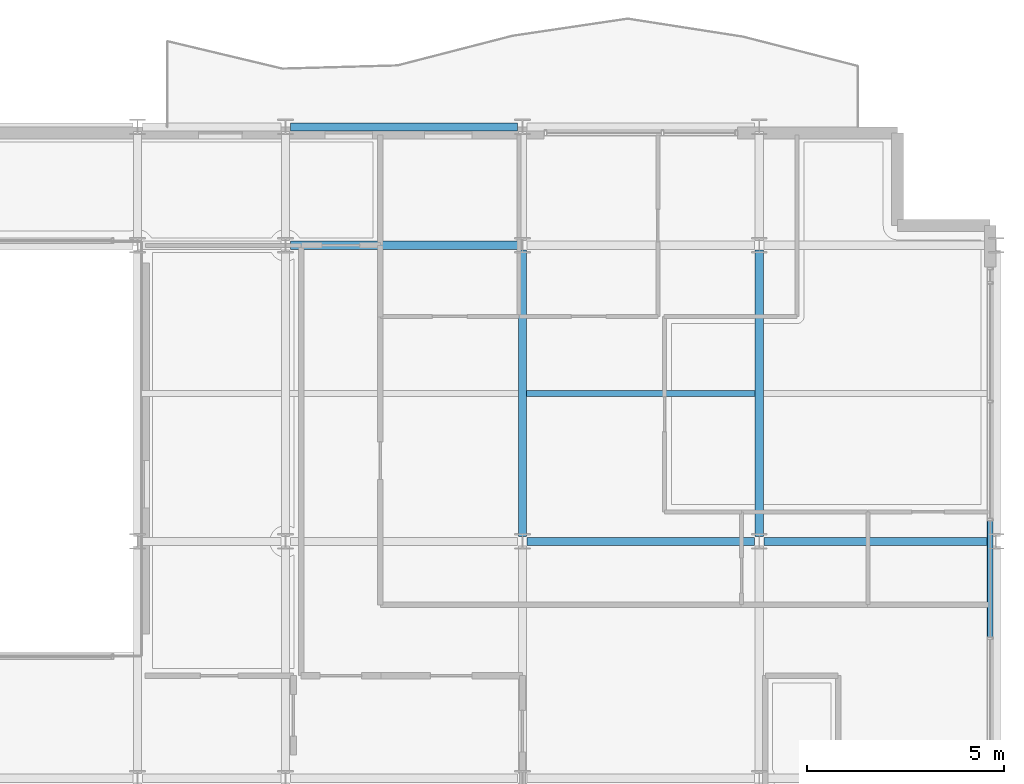
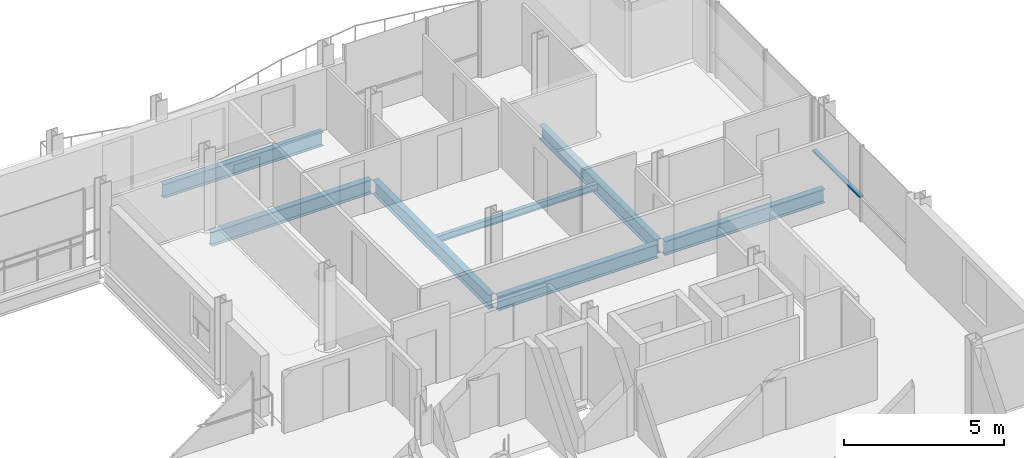
# One storey, part 21 of 35: 7 beams, 1 member, 1 element without a shape of its own.
"""IFC4 building model written with IfcOpenShell, lengths in metres."""

from ifc_helpers import new_model, si_unit, direction, frame, origin, origin_2d, place, context, subcontext, project, spatial, hollow_rectangle, i_section, extrude, material, layer, layer_set, material_profile, profile_set, type_object, element, aggregate, save


model = new_model("IFC4")

# Units and contexts
model_context = context("Model", 3, precision=1e-05, world=origin(), true_north=direction((0.0, 1.0)))
body_context = subcontext(model_context, "Body", "Model", "MODEL_VIEW")
ifc_project = project(units=[si_unit("LENGTHUNIT", "METRE"), si_unit("AREAUNIT", "SQUARE_METRE"), si_unit("VOLUMEUNIT", "CUBIC_METRE"), si_unit("PLANEANGLEUNIT", "RADIAN"), si_unit("MASSUNIT", "GRAM", prefix="KILO")], contexts=[model_context])

# Site, building, storey
site_placement = place(None, origin())
site = spatial("IfcSite", under=ifc_project, at=site_placement, CompositionType="ELEMENT")
building_placement = place(site_placement, origin())
building = spatial("IfcBuilding", under=site, at=building_placement, Name="Brevholm Reach", CompositionType="ELEMENT")
storey_placement = place(building_placement, frame((0.0, 0.0, 183.199951171875)))
storey = spatial("IfcBuildingStorey", under=building, at=storey_placement, Name="L55", CompositionType="ELEMENT", Elevation=183.199951171875)

# Beams
ifc_material_1 = material(Name="Structural Steel S355J2", Category="steel")
ifc_material_profile_1 = material_profile(ifc_material_1, i_section(OverallWidth=0.14599609375, OverallDepth=0.25146484375, WebThickness=0.006103515625, FlangeThickness=0.008544921875, FilletRadius=0.007568359375, at=origin_2d()), Name="UKB 254x146x31")
ifc_profile_set_1 = profile_set([ifc_material_profile_1], Name="Structural Steel S355J2")
beam_type_1 = type_object("IfcBeamType", Name="BM-B254", PredefinedType="BEAM", material=ifc_profile_set_1)
beam_1_placement = place(storey_placement, frame((48.10546875, 19.75, -0.335693359375), z_axis=(1.0, 0.0, 0.0), x_axis=(0.0, 1.0, 0.0)))
element("IfcBeam", 1, at=beam_1_placement, inside=storey, type_object=beam_type_1, Name="L55 Composite Secondary Floor Beam", PredefinedType="BEAM", context=body_context, shape_type="SweptSolid", body=[
    extrude(i_section(OverallWidth=0.14599609375, OverallDepth=0.25146484375, WebThickness=0.006103515625, FlangeThickness=0.008544921875, FilletRadius=0.007568359375, at=origin_2d()), origin(), (0.0, 0.0, 1.0), 5.7890625),
])
ifc_material_2 = material(Name="Structural Steel S355J2", Category="steel")
ifc_material_profile_2 = material_profile(ifc_material_2, i_section(OverallWidth=0.209228515625, OverallDepth=0.533203125, WebThickness=0.010009765625, FlangeThickness=0.015625, FilletRadius=0.0126953125, at=origin_2d()), Name="UKB 533x210x92")
ifc_profile_set_2 = profile_set([ifc_material_profile_2], Name="Structural Steel S355J2")
beam_type_2 = type_object("IfcBeamType", Name="BM-SP533", PredefinedType="SPANDREL", material=ifc_profile_set_2)
beam_2_placement = place(storey_placement, frame((42.1201171875, 26.5, -0.4765625), z_axis=(1.0, 0.0, 0.0), x_axis=(0.0, 1.0, 0.0)))
element("IfcBeam", 2, at=beam_2_placement, inside=storey, type_object=beam_type_2, Name="L55 SP-02 Framing Beam", PredefinedType="SPANDREL", context=body_context, shape_type="SweptSolid", body=[
    extrude(i_section(OverallWidth=0.209228515625, OverallDepth=0.533203125, WebThickness=0.010009765625, FlangeThickness=0.015625, FilletRadius=0.0126953125, at=origin_2d()), origin(), (0.0, 0.0, 1.0), 5.759765625),
])
ifc_material_3 = material(Name="Structural Steel S355J2", Category="steel")
ifc_material_profile_3 = material_profile(ifc_material_3, i_section(OverallWidth=0.210693359375, OverallDepth=0.53955078125, WebThickness=0.01171875, FlangeThickness=0.018798828125, FilletRadius=0.0126953125, at=origin_2d()), Name="UKB 533x210x109")
ifc_profile_set_3 = profile_set([ifc_material_profile_3], Name="Structural Steel S355J2")
beam_type_3 = type_object("IfcBeamType", Name="BM-SP539", PredefinedType="SPANDREL", material=ifc_profile_set_3)
for number, where, z_axis, x_axis, name in (
    (3, (48.1201171875, 16.0, -0.479736328125), (1.0, 0.0, 0.0), (0.0, 1.0, 0.0), "L55 SP-01B Framing Beam"),
    (4, (54.1201171875, 16.0, -0.479736328125), (1.0, 0.0, 0.0), (0.0, 1.0, 0.0), "L55 SP-01B Framing Beam"),
    (5, (42.1201171875, 23.5, -0.479736328125), (1.0, 0.0, 0.0), (0.0, 1.0, 0.0), "L55 SP-01B Framing Beam"),
):
    element("IfcBeam", number, at=place(storey_placement, frame(where, z_axis=z_axis, x_axis=x_axis)), inside=storey, type_object=beam_type_3, Name=name, PredefinedType="SPANDREL", context=body_context, shape_type="SweptSolid", body=[
        extrude(i_section(OverallWidth=0.210693359375, OverallDepth=0.53955078125, WebThickness=0.01171875, FlangeThickness=0.018798828125, FilletRadius=0.0126953125, at=origin_2d()), origin(), (0.0, 0.0, 1.0), 5.759765625),
    ])
for number, where, z_axis, x_axis, name in (
    (6, (48.0, 16.1201171875, -0.479736328125), (0.0, 1.0, 0.0), (-1.0, 0.0, 0.0), "L55 SP-01B Framing Beam"),
    (7, (54.0, 16.1201171875, -0.479736328125), (0.0, 1.0, 0.0), (-1.0, 0.0, 0.0), "L55 SP-01B Framing Beam"),
):
    element("IfcBeam", number, at=place(storey_placement, frame(where, z_axis=z_axis, x_axis=x_axis)), inside=storey, type_object=beam_type_3, Name=name, PredefinedType="SPANDREL", context=body_context, shape_type="SweptSolid", body=[
        extrude(i_section(OverallWidth=0.210693359375, OverallDepth=0.53955078125, WebThickness=0.01171875, FlangeThickness=0.018798828125, FilletRadius=0.0126953125, at=origin_2d()), origin(), (0.0, 0.0, 1.0), 7.259765625),
    ])

# Curtain wall, member
ifc_material_4 = material(Name="Dark Anodised Aluminium 6063-T6 and Solar-Control Glass", Category="aluminium")
ifc_layer = layer(ifc_material_4, 0.14990234375)
ifc_layer_set = layer_set([ifc_layer], Name="Dark Anodised Aluminium 6063-T6 and Solar-Control Glass")
curtain_wall_type = type_object("IfcCurtainWallType", Name="CW-01", PredefinedType="NOTDEFINED", material=ifc_layer_set)
curtain_wall_placement = place(storey_placement, origin())
curtain_wall = element("IfcCurtainWall", 8, at=curtain_wall_placement, inside=storey, type_object=curtain_wall_type, Name="L55 Curtain Wall CW-01", PredefinedType="NOTDEFINED")
ifc_material_5 = material(Name="Dark Anodised Aluminium 6063-T6", Category="aluminium")
ifc_material_profile_4 = material_profile(ifc_material_5, hollow_rectangle(XDim=0.06494140625, YDim=0.14990234375, WallThickness=0.0048828125, InnerFilletRadius=0.0048828125, OuterFilletRadius=0.010009765625, at=origin_2d()), Name="RHS 150x65x5")
ifc_profile_set_4 = profile_set([ifc_material_profile_4], Name="Dark Anodised Aluminium 6063-T6")
member_type = type_object("IfcMemberType", Name="CWT-150", PredefinedType="NOTDEFINED", material=ifc_profile_set_4)
member_placement = place(storey_placement, frame((59.85009765625, 13.58251953125, 0.900146484375), z_axis=(0.0, 1.0, 0.0), x_axis=(0.0, 0.0, 1.0)))
member = element("IfcMember", 9, at=member_placement, type_object=member_type, Name="CT-150 Transom 2.1", ObjectType="TRANSOM", PredefinedType="USERDEFINED", context=body_context, shape_type="SweptSolid", body=[
    extrude(hollow_rectangle(XDim=0.06494140625, YDim=0.14990234375, WallThickness=0.0048828125, InnerFilletRadius=0.0048828125, OuterFilletRadius=0.010009765625, at=origin_2d()), origin(), (0.0, 0.0, 1.0), 2.93505859375),
])
aggregate(curtain_wall, [member])

save(model, "model.ifc")
